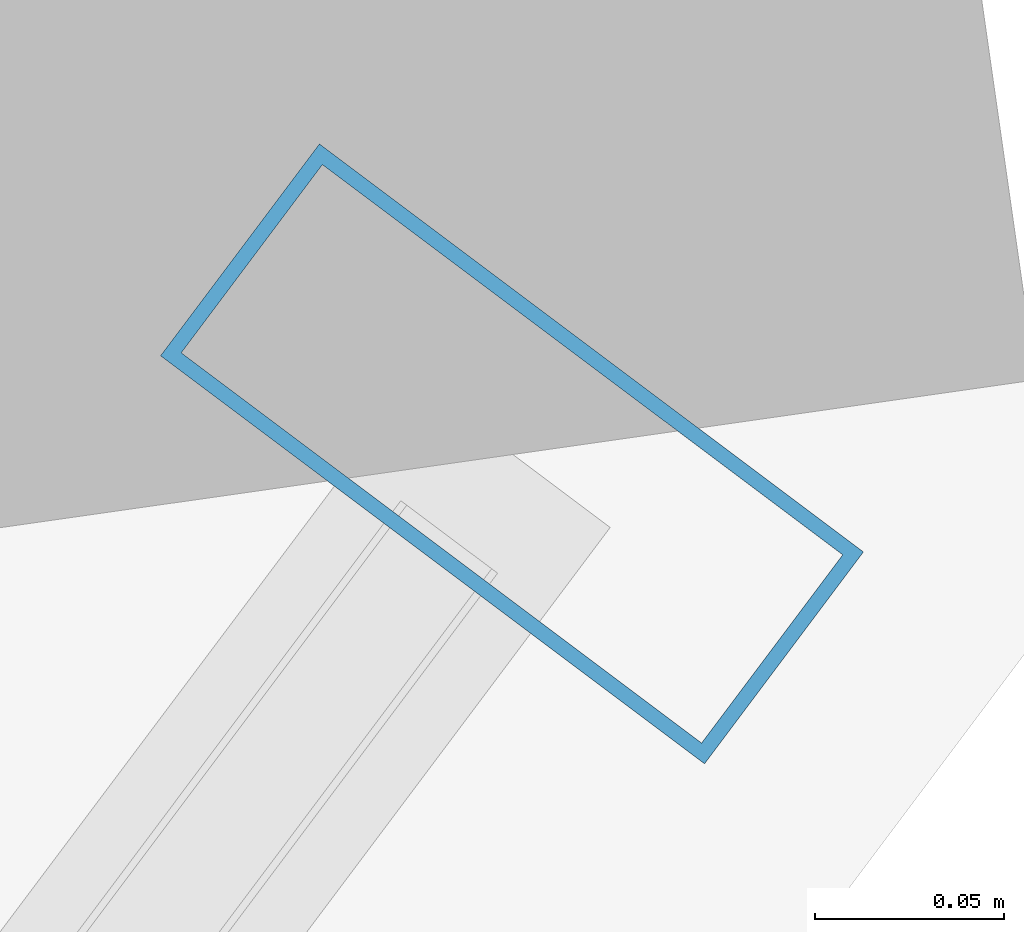
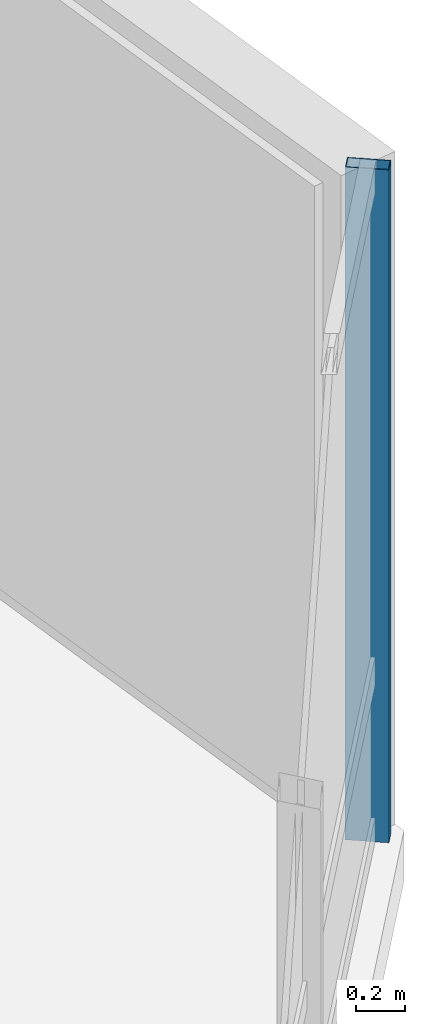
# One storey, part 12 of 29: 1 member, 1 element without a shape of its own.
"""IFC4 building model written with IfcOpenShell, lengths in metres."""

from ifc_helpers import new_model, si_unit, direction, frame, origin, origin_2d, place, context, subcontext, project, spatial, hollow_rectangle, extrude, material, layer, layer_set, material_profile, profile_set, type_object, element, aggregate, save


model = new_model("IFC4")

# Units and contexts
model_context = context("Model", 3, precision=1e-05, world=origin(), true_north=direction((0.0, 1.0)))
body_context = subcontext(model_context, "Body", "Model", "MODEL_VIEW")
ifc_project = project(units=[si_unit("LENGTHUNIT", "METRE"), si_unit("AREAUNIT", "SQUARE_METRE"), si_unit("VOLUMEUNIT", "CUBIC_METRE"), si_unit("PLANEANGLEUNIT", "RADIAN"), si_unit("MASSUNIT", "GRAM", prefix="KILO")], contexts=[model_context])

# Site, building, storey
site_placement = place(None, origin())
site = spatial("IfcSite", under=ifc_project, at=site_placement, CompositionType="ELEMENT")
building_placement = place(site_placement, origin())
building = spatial("IfcBuilding", under=site, at=building_placement, Name="Hatsunagi Terrace Concourse", CompositionType="ELEMENT")
storey_placement = place(building_placement, frame((0.0, 0.0, 108.449951171875)))
storey = spatial("IfcBuildingStorey", under=building, at=storey_placement, Name="L28", CompositionType="ELEMENT", Elevation=108.449951171875)

# Curtain wall, member
ifc_material_1 = material(Name="Anodised Aluminium Alloy 6063-T5", Category="aluminium")
ifc_layer = layer(ifc_material_1, 0.199951171875)
ifc_layer_set = layer_set([ifc_layer], Name="OfficeZone1_CW03")
curtain_wall_type = type_object("IfcCurtainWallType", Name="OfficeZone1_CW03", PredefinedType="NOTDEFINED", material=ifc_layer_set)
curtain_wall_placement = place(storey_placement, origin())
curtain_wall = element("IfcCurtainWall", 1, at=curtain_wall_placement, inside=storey, type_object=curtain_wall_type, Name="Unitised Curtain Wall CW-03 CW-L28-03", PredefinedType="NOTDEFINED")
ifc_material_2 = material(Name="Anodised Aluminium Alloy 6063-T5", Category="aluminium")
ifc_material_profile = material_profile(ifc_material_2, hollow_rectangle(XDim=0.070068359375, YDim=0.179931640625, WallThickness=0.00390625, at=origin_2d()), Name="ALU-MUL-180x70x4")
ifc_profile_set = profile_set([ifc_material_profile], Name="Anodised Aluminium Alloy 6063-T5")
member_type = type_object("IfcMemberType", Name="CurtainWallMullion_180x70", PredefinedType="MULLION", material=ifc_profile_set)
member_placement = place(storey_placement, frame((69.093017578125, 19.657958984375, 0.0), z_axis=(0.0, 0.0, 1.0), x_axis=(-0.599969314634, -0.800023013105, 0.0)))
member = element("IfcMember", 2, at=member_placement, type_object=member_type, Name="Curtain Wall Mullion MUL-02", PredefinedType="MULLION", context=body_context, shape_type="SweptSolid", body=[
    extrude(hollow_rectangle(XDim=0.070068359375, YDim=0.179931640625, WallThickness=0.00390625, at=origin_2d()), origin(), (0.0, 0.0, 1.0), 3.35009765625),
])
aggregate(curtain_wall, [member])

save(model, "model.ifc")
